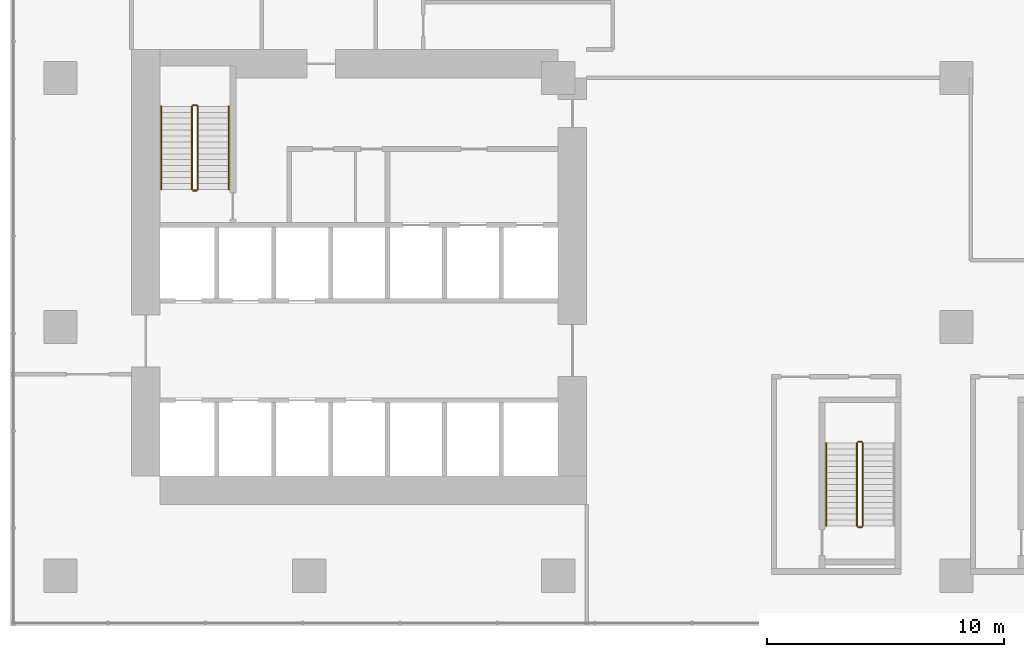
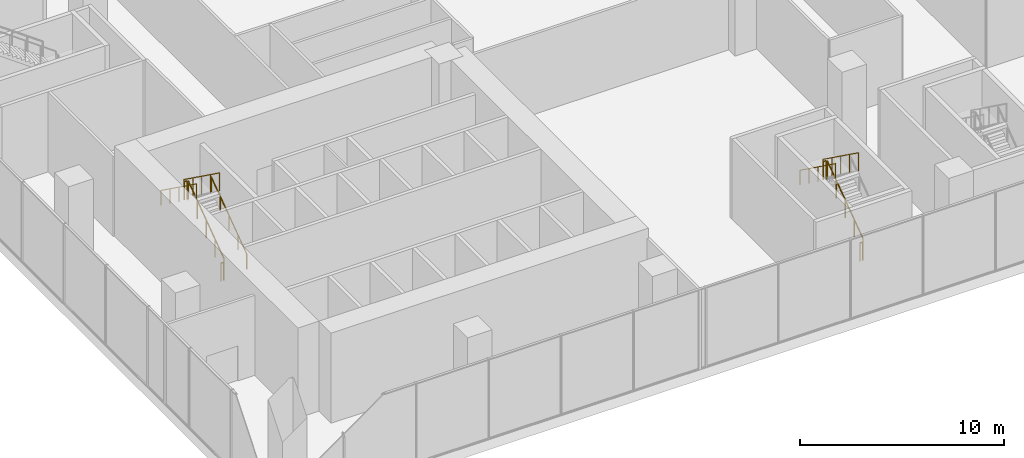
# One storey, part 19 of 23: 11 railings.
"""IFC4 building model written with IfcOpenShell, lengths in metres."""

from ifc_helpers import new_model, si_unit, direction, frame, origin, origin_2d, place, context, subcontext, project, spatial, circle, extrude, source, transform, mapped, material, type_object, element, save


model = new_model("IFC4")

# Units and contexts
model_context = context("Model", 3, precision=1e-05, world=origin(), true_north=direction((0.0, 1.0)))
body_context = subcontext(model_context, "Body", "Model", "MODEL_VIEW")
ifc_project = project(units=[si_unit("LENGTHUNIT", "METRE"), si_unit("AREAUNIT", "SQUARE_METRE"), si_unit("VOLUMEUNIT", "CUBIC_METRE"), si_unit("PLANEANGLEUNIT", "RADIAN"), si_unit("MASSUNIT", "GRAM", prefix="KILO")], contexts=[model_context])

# Site, building, storey
site_placement = place(None, origin())
site = spatial("IfcSite", under=ifc_project, at=site_placement, CompositionType="ELEMENT")
building_placement = place(site_placement, origin())
building = spatial("IfcBuilding", under=site, at=building_placement, Name="Aurelian Terraces", CompositionType="ELEMENT")
storey_placement = place(building_placement, frame((0.0, 0.0, 23.7)))
storey = spatial("IfcBuildingStorey", under=building, at=storey_placement, Name="L04", CompositionType="ELEMENT", Elevation=23.7)

# Railings
ifc_material = material(Name="Stainless steel", Category="steel")
railing_type_1 = type_object("IfcRailingType", Name="Stair guard 1100", PredefinedType="GUARDRAIL", material=ifc_material)
shared_shape_1 = source(origin(), body_context, "Body", "SweptSolid", [
    extrude(circle(Radius=0.024, at=origin_2d()), frame((0.0, 0.0, 1.076), z_axis=(-1.0, 0.0, 0.0), x_axis=(0.0, -1.0, 0.0)), (0.0, 0.0, 1.0), 0.15),
    extrude(circle(Radius=0.021, at=origin_2d()), origin(), (0.0, 0.0, 1.0), 1.052),
    extrude(circle(Radius=0.021, at=origin_2d()), frame((-0.15, 0.0, 0.0)), (0.0, 0.0, 1.0), 1.052),
])
for number, where, name in (
    (1, (5.75, 19.85, 2.7), "L04 S1 stair guard 2"),
    (2, (5.75, 16.25, 0.0), "L04 S1 stair guard 4"),
    (3, (33.8, 5.65, 2.7), "L04 S7 stair guard 2"),
    (4, (33.8, 2.05, 0.0), "L04 S7 stair guard 4"),
):
    element("IfcRailing", number, at=place(storey_placement, frame(where)), inside=storey, type_object=railing_type_1, Name=name, PredefinedType="GUARDRAIL", context=body_context, shape_type="MappedRepresentation", body=[
        mapped(shared_shape_1, transform((0.0, 0.0, 0.0), scale=1.0)),
    ])
shared_shape_2 = source(origin(), body_context, "Body", "SweptSolid", [
    extrude(circle(Radius=0.024, at=origin_2d()), frame((0.0, 0.0, 1.076), z_axis=(0.0, 0.811534341451, 0.584304725845), x_axis=(-1.0, 0.0, 0.0)), (0.0, 0.0, 1.0), 4.3128),
    extrude(circle(Radius=0.021, at=origin_2d()), origin(), (0.0, 0.0, 1.0), 1.052),
    extrude(circle(Radius=0.021, at=origin_2d()), frame((0.0, 0.875, 0.63)), (0.0, 0.0, 1.0), 1.052),
    extrude(circle(Radius=0.021, at=origin_2d()), frame((0.0, 1.75, 1.26)), (0.0, 0.0, 1.0), 1.052),
    extrude(circle(Radius=0.021, at=origin_2d()), frame((0.0, 2.625, 1.89)), (0.0, 0.0, 1.0), 1.052),
    extrude(circle(Radius=0.021, at=origin_2d()), frame((0.0, 3.5, 2.52)), (0.0, 0.0, 1.0), 1.052),
])
for number, where, name in (
    (5, (5.8, 16.3, 0.18), "L04 S1 stair guard 1"),
    (6, (33.85, 2.1, 0.18), "L04 S7 stair guard 1"),
):
    element("IfcRailing", number, at=place(storey_placement, frame(where)), inside=storey, type_object=railing_type_1, Name=name, PredefinedType="GUARDRAIL", context=body_context, shape_type="MappedRepresentation", body=[
        mapped(shared_shape_2, transform((0.0, 0.0, 0.0), scale=1.0)),
    ])
shared_shape_3 = source(origin(), body_context, "Body", "SweptSolid", [
    extrude(circle(Radius=0.024, at=origin_2d()), frame((0.0, 0.0, 1.076), z_axis=(0.0, -0.811534341451, 0.584304725845), x_axis=(1.0, 0.0, 0.0)), (0.0, 0.0, 1.0), 4.3128),
    extrude(circle(Radius=0.021, at=origin_2d()), origin(), (0.0, 0.0, 1.0), 1.052),
    extrude(circle(Radius=0.021, at=origin_2d()), frame((0.0, -0.875, 0.63)), (0.0, 0.0, 1.0), 1.052),
    extrude(circle(Radius=0.021, at=origin_2d()), frame((0.0, -1.75, 1.26)), (0.0, 0.0, 1.0), 1.052),
    extrude(circle(Radius=0.021, at=origin_2d()), frame((0.0, -2.625, 1.89)), (0.0, 0.0, 1.0), 1.052),
    extrude(circle(Radius=0.021, at=origin_2d()), frame((0.0, -3.5, 2.52)), (0.0, 0.0, 1.0), 1.052),
])
for number, where, name in (
    (7, (5.55, 19.8, 2.88), "L04 S1 stair guard 3"),
    (8, (33.6, 5.6, 2.88), "L04 S7 stair guard 3"),
):
    element("IfcRailing", number, at=place(storey_placement, frame(where)), inside=storey, type_object=railing_type_1, Name=name, PredefinedType="GUARDRAIL", context=body_context, shape_type="MappedRepresentation", body=[
        mapped(shared_shape_3, transform((0.0, 0.0, 0.0), scale=1.0)),
    ])
railing_type_2 = type_object("IfcRailingType", Name="Stair handrail", PredefinedType="HANDRAIL", material=ifc_material)
shared_shape_4 = source(origin(), body_context, "Body", "SweptSolid", [
    extrude(circle(Radius=0.024, at=origin_2d()), frame((0.0, 0.0, 0.876), z_axis=(0.0, 0.811534341451, 0.584304725845), x_axis=(-1.0, 0.0, 0.0)), (0.0, 0.0, 1.0), 4.3128),
    extrude(circle(Radius=0.021, at=origin_2d()), origin(), (0.0, 0.0, 1.0), 0.852),
    extrude(circle(Radius=0.021, at=origin_2d()), frame((0.0, 0.875, 0.63)), (0.0, 0.0, 1.0), 0.852),
    extrude(circle(Radius=0.021, at=origin_2d()), frame((0.0, 1.75, 1.26)), (0.0, 0.0, 1.0), 0.852),
    extrude(circle(Radius=0.021, at=origin_2d()), frame((0.0, 2.625, 1.89)), (0.0, 0.0, 1.0), 0.852),
    extrude(circle(Radius=0.021, at=origin_2d()), frame((0.0, 3.5, 2.52)), (0.0, 0.0, 1.0), 0.852),
])
railing_placement = place(storey_placement, frame((7.1, 16.3, 0.18)))
element("IfcRailing", 9, at=railing_placement, inside=storey, type_object=railing_type_2, Name="L04 S1 stair handrail 1", PredefinedType="HANDRAIL", context=body_context, shape_type="MappedRepresentation", body=[
    mapped(shared_shape_4, transform((0.0, 0.0, 0.0), scale=1.0)),
])
shared_shape_5 = source(origin(), body_context, "Body", "SweptSolid", [
    extrude(circle(Radius=0.024, at=origin_2d()), frame((0.0, 0.0, 0.876), z_axis=(0.0, -0.811534341451, 0.584304725845), x_axis=(1.0, 0.0, 0.0)), (0.0, 0.0, 1.0), 4.3128),
    extrude(circle(Radius=0.021, at=origin_2d()), origin(), (0.0, 0.0, 1.0), 0.852),
    extrude(circle(Radius=0.021, at=origin_2d()), frame((0.0, -0.875, 0.63)), (0.0, 0.0, 1.0), 0.852),
    extrude(circle(Radius=0.021, at=origin_2d()), frame((0.0, -1.75, 1.26)), (0.0, 0.0, 1.0), 0.852),
    extrude(circle(Radius=0.021, at=origin_2d()), frame((0.0, -2.625, 1.89)), (0.0, 0.0, 1.0), 0.852),
    extrude(circle(Radius=0.021, at=origin_2d()), frame((0.0, -3.5, 2.52)), (0.0, 0.0, 1.0), 0.852),
])
for number, where, name in (
    (10, (4.25, 19.8, 2.88), "L04 S1 stair handrail 2"),
    (11, (32.3, 5.6, 2.88), "L04 S7 stair handrail 2"),
):
    element("IfcRailing", number, at=place(storey_placement, frame(where)), inside=storey, type_object=railing_type_2, Name=name, PredefinedType="HANDRAIL", context=body_context, shape_type="MappedRepresentation", body=[
        mapped(shared_shape_5, transform((0.0, 0.0, 0.0), scale=1.0)),
    ])

save(model, "model.ifc")
